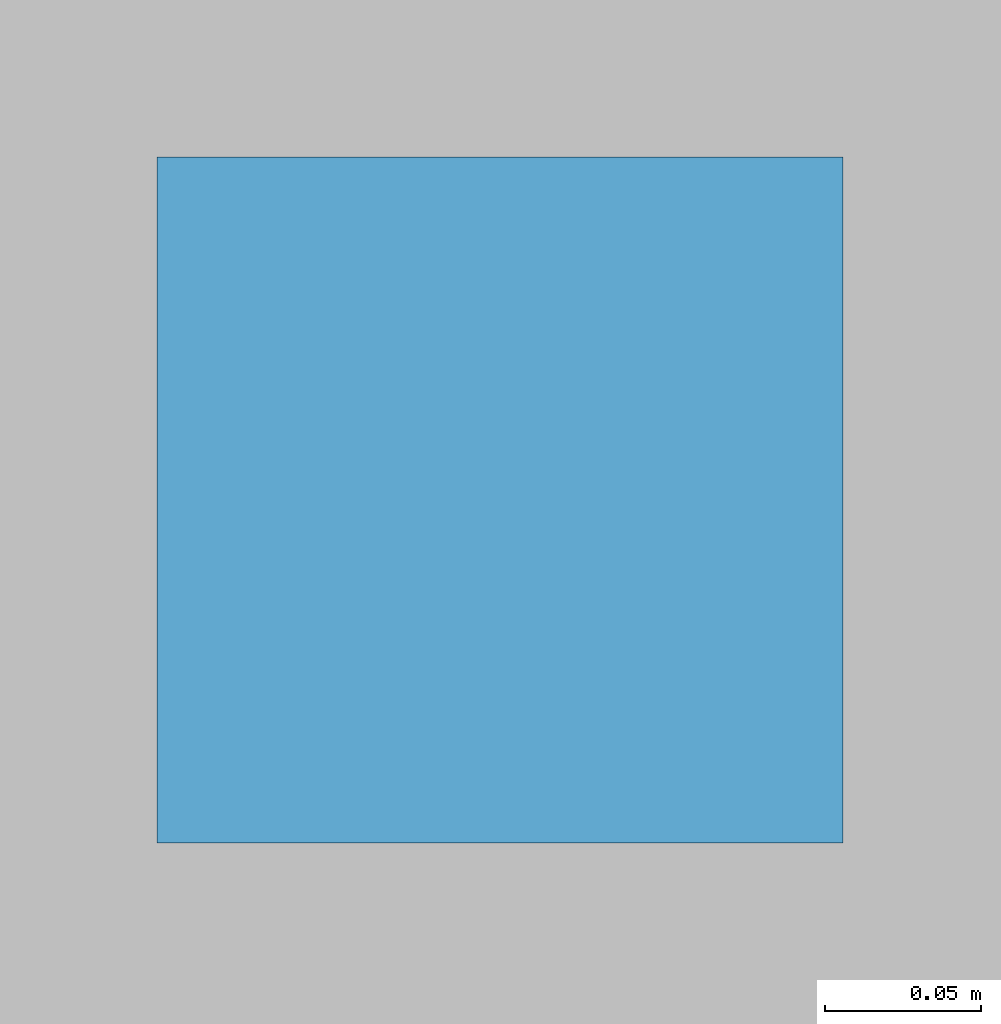
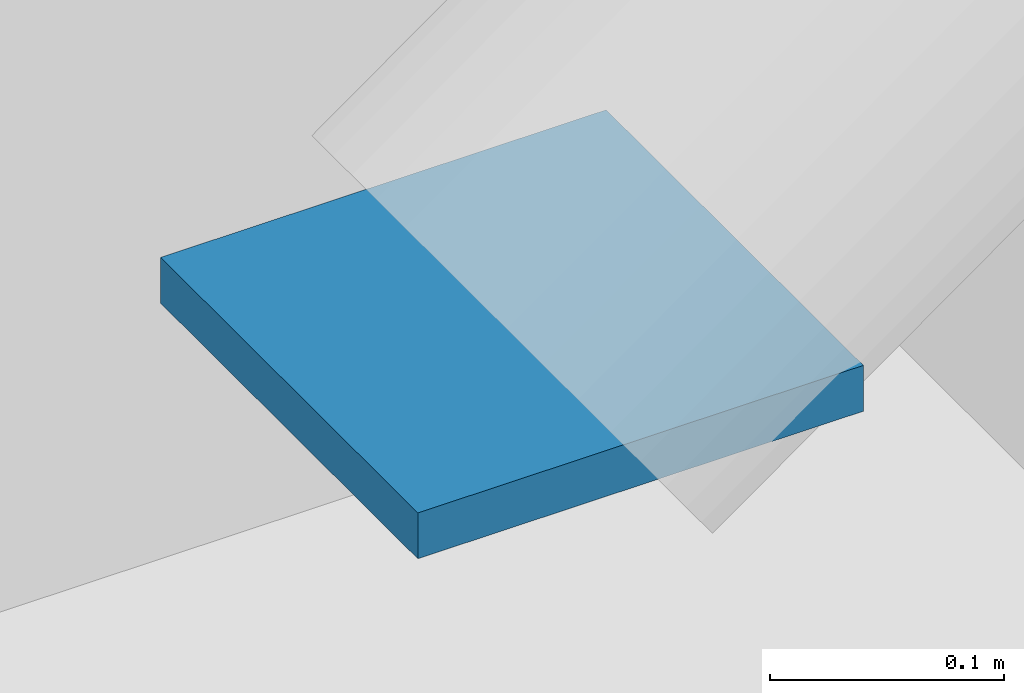
# One storey, part 40 of 44: 1 discrete accessory.
"""IFC4 building model written with IfcOpenShell, lengths in metres."""

from ifc_helpers import new_model, si_unit, direction, frame, origin, origin_2d, place, context, subcontext, project, spatial, rectangle, extrude, material, layer, layer_set, type_object, element, save


model = new_model("IFC4")

# Units and contexts
model_context = context("Model", 3, precision=1e-05, world=origin(), true_north=direction((0.0, 1.0)))
body_context = subcontext(model_context, "Body", "Model", "MODEL_VIEW")
ifc_project = project(units=[si_unit("LENGTHUNIT", "METRE"), si_unit("AREAUNIT", "SQUARE_METRE"), si_unit("VOLUMEUNIT", "CUBIC_METRE"), si_unit("PLANEANGLEUNIT", "RADIAN"), si_unit("MASSUNIT", "GRAM", prefix="KILO")], contexts=[model_context])

# Site, building, storey
site_placement = place(None, origin())
site = spatial("IfcSite", under=ifc_project, at=site_placement, CompositionType="ELEMENT")
building_placement = place(site_placement, origin())
building = spatial("IfcBuilding", under=site, at=building_placement, Name="Kisaragi Civic Commons", CompositionType="ELEMENT")
storey_placement = place(building_placement, frame((0.0, 0.0, -4.800048828125)))
storey = spatial("IfcBuildingStorey", under=building, at=storey_placement, Name="B1", CompositionType="ELEMENT", Elevation=-4.800048828125)

# Discrete accessory
ifc_material = material(Name="Steel SN490 (SN490B)", Category="steel")
ifc_layer = layer(ifc_material, 0.02392578125, Name="Steel SN490 (SN490B)", Category="steel")
ifc_layer_set = layer_set([ifc_layer], Name="Steel SN490 (SN490B)")
discrete_accessory_type = type_object("IfcDiscreteAccessoryType", Name="CN-01", PredefinedType="SHOE", material=ifc_layer_set)
discrete_accessory_placement = place(storey_placement, frame((123.60009765625, 8.39990234375, 0.38818359375), z_axis=(0.0, 0.0, 1.0), x_axis=(1.0, 0.0, 0.0)))
element("IfcDiscreteAccessory", 1, at=discrete_accessory_placement, inside=storey, type_object=discrete_accessory_type, Name="Brace/strut steel end connection 14", PredefinedType="SHOE", context=body_context, shape_type="SweptSolid", body=[
    extrude(rectangle(XDim=0.219970703125, YDim=0.219970703125, at=origin_2d()), origin(), (0.0, 0.0, 1.0), 0.02392578125),
])

save(model, "model.ifc")
